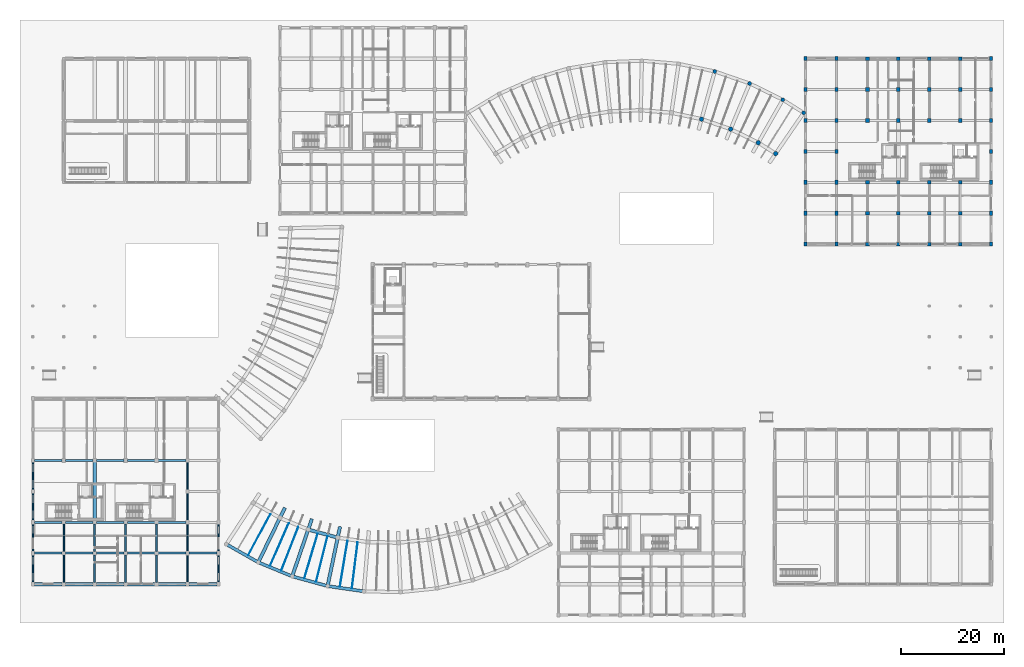
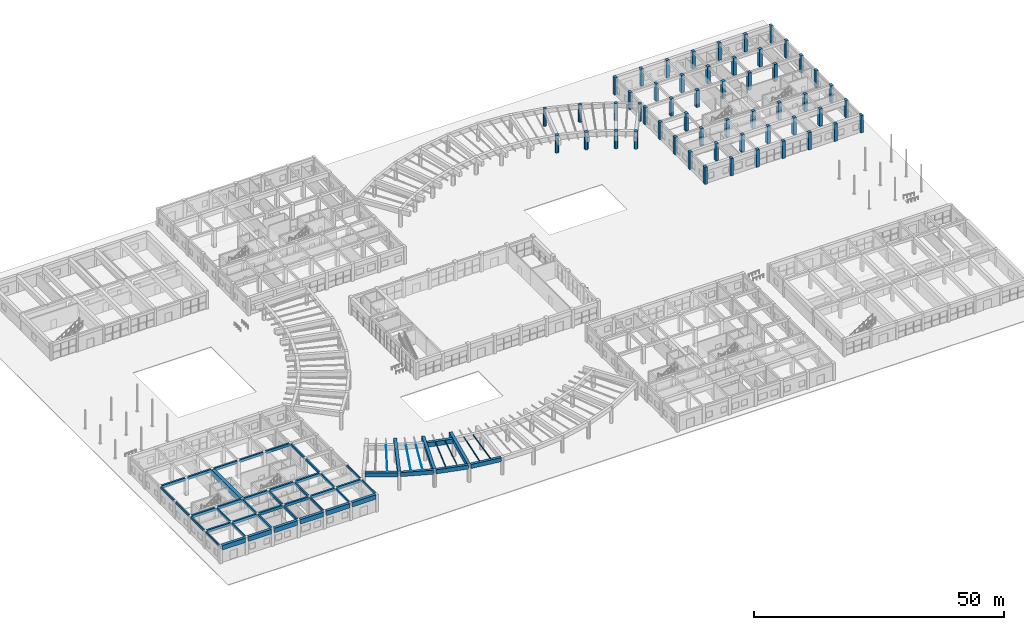
# One storey, part 10 of 76: 56 beams, 53 columns.
"""IFC4 building model written with IfcOpenShell, lengths in metres."""

from ifc_helpers import new_model, si_unit, direction, frame, origin, origin_2d, place, context, subcontext, project, spatial, rectangle, circle, i_section, extrude, material, material_profile, profile_set, type_object, element, save


model = new_model("IFC4")

# Units and contexts
model_context = context("Model", 3, precision=1e-05, world=origin(), true_north=direction((0.0, 1.0)))
body_context = subcontext(model_context, "Body", "Model", "MODEL_VIEW")
ifc_project = project(units=[si_unit("LENGTHUNIT", "METRE"), si_unit("AREAUNIT", "SQUARE_METRE"), si_unit("VOLUMEUNIT", "CUBIC_METRE"), si_unit("PLANEANGLEUNIT", "RADIAN"), si_unit("MASSUNIT", "GRAM", prefix="KILO"), si_unit("POWERUNIT", "WATT"), si_unit("THERMODYNAMICTEMPERATUREUNIT", "KELVIN")], contexts=[model_context])

# Site, building, storey
site_placement = place(None, origin())
site = spatial("IfcSite", under=ifc_project, at=site_placement, CompositionType="ELEMENT")
building_placement = place(site_placement, origin())
building = spatial("IfcBuilding", under=site, at=building_placement, Name="Ruvembo Vaulted Housing Court", CompositionType="ELEMENT")
storey_placement = place(building_placement, origin())
storey = spatial("IfcBuildingStorey", under=building, at=storey_placement, Name="L00", CompositionType="ELEMENT", Elevation=0.0)

# Columns
ifc_material_1 = material(Name="Concrete C40/50", Category="concrete")
ifc_material_profile_1 = material_profile(ifc_material_1, rectangle(XDim=0.60009765625, YDim=0.800048828125, at=origin_2d()), Name="RC 600x800")
ifc_profile_set_1 = profile_set([ifc_material_profile_1], Name="Concrete C40/50")
column_type_1 = type_object("IfcColumnType", Name="COL-RC-600x800", PredefinedType="COLUMN", material=ifc_profile_set_1)
for number, where, z_axis, x_axis, name in (
    (1, (150.0, 72.0, 0.0), (0.0, 0.0, 1.0), (1.0, 0.0, 0.0), "L00 Column (150,72)"),
    (2, (150.0, 78.0, 0.0), (0.0, 0.0, 1.0), (1.0, 0.0, 0.0), "L00 Column (150,78)"),
    (3, (150.0, 84.0, 0.0), (0.0, 0.0, 1.0), (1.0, 0.0, 0.0), "L00 Column (150,84)"),
    (4, (150.0, 90.0, 0.0), (0.0, 0.0, 1.0), (1.0, 0.0, 0.0), "L00 Column (150,90)"),
    (5, (150.0, 96.0, 0.0), (0.0, 0.0, 1.0), (1.0, 0.0, 0.0), "L00 Column (150,96)"),
    (6, (150.0, 102.0, 0.0), (0.0, 0.0, 1.0), (1.0, 0.0, 0.0), "L00 Column (150,102)"),
    (7, (150.0, 108.0, 0.0), (0.0, 0.0, 1.0), (1.0, 0.0, 0.0), "L00 Column (150,108)"),
    (8, (156.0, 72.0, 0.0), (0.0, 0.0, 1.0), (1.0, 0.0, 0.0), "L00 Column (156,72)"),
    (9, (156.0, 78.0, 0.0), (0.0, 0.0, 1.0), (1.0, 0.0, 0.0), "L00 Column (156,78)"),
    (10, (156.0, 84.0, 0.0), (0.0, 0.0, 1.0), (1.0, 0.0, 0.0), "L00 Column (156,84)"),
    (11, (156.0, 90.0, 0.0), (0.0, 0.0, 1.0), (1.0, 0.0, 0.0), "L00 Column (156,90)"),
    (12, (156.0, 96.0, 0.0), (0.0, 0.0, 1.0), (1.0, 0.0, 0.0), "L00 Column (156,96)"),
    (13, (156.0, 102.0, 0.0), (0.0, 0.0, 1.0), (1.0, 0.0, 0.0), "L00 Column (156,102)"),
    (14, (156.0, 108.0, 0.0), (0.0, 0.0, 1.0), (1.0, 0.0, 0.0), "L00 Column (156,108)"),
    (15, (186.0, 72.0, 0.0), (0.0, 0.0, 1.0), (1.0, 0.0, 0.0), "L00 Column (186,72)"),
    (16, (186.0, 78.0, 0.0), (0.0, 0.0, 1.0), (1.0, 0.0, 0.0), "L00 Column (186,78)"),
    (17, (186.0, 84.0, 0.0), (0.0, 0.0, 1.0), (1.0, 0.0, 0.0), "L00 Column (186,84)"),
    (18, (186.0, 90.0, 0.0), (0.0, 0.0, 1.0), (1.0, 0.0, 0.0), "L00 Column (186,90)"),
    (19, (186.0, 96.0, 0.0), (0.0, 0.0, 1.0), (1.0, 0.0, 0.0), "L00 Column (186,96)"),
    (20, (186.0, 102.0, 0.0), (0.0, 0.0, 1.0), (1.0, 0.0, 0.0), "L00 Column (186,102)"),
    (21, (186.0, 108.0, 0.0), (0.0, 0.0, 1.0), (1.0, 0.0, 0.0), "L00 Column (186,108)"),
):
    element("IfcColumn", number, at=place(storey_placement, frame(where, z_axis=z_axis, x_axis=x_axis)), inside=storey, type_object=column_type_1, Name=name, PredefinedType="COLUMN", context=body_context, shape_type="SweptSolid", body=[
        extrude(rectangle(XDim=0.60009765625, YDim=0.800048828125, at=origin_2d()), origin(), (0.0, 0.0, 1.0), 4.22998046875),
    ])
ifc_material_profile_2 = material_profile(ifc_material_1, rectangle(XDim=0.699951171875, YDim=0.699951171875, at=origin_2d()), Name="RC 700x700")
ifc_profile_set_2 = profile_set([ifc_material_profile_2], Name="Concrete C40/50")
column_type_2 = type_object("IfcColumnType", Name="COL-RC-700", PredefinedType="COLUMN", material=ifc_profile_set_2)
for number, where, z_axis, x_axis, name in (
    (22, (162.0, 72.0, 0.0), (0.0, 0.0, 1.0), (1.0, 0.0, 0.0), "L00 Column (162,72)"),
    (23, (162.0, 78.0, 0.0), (0.0, 0.0, 1.0), (1.0, 0.0, 0.0), "L00 Column (162,78)"),
    (24, (162.0, 84.0, 0.0), (0.0, 0.0, 1.0), (1.0, 0.0, 0.0), "L00 Column (162,84)"),
    (25, (162.0, 96.0, 0.0), (0.0, 0.0, 1.0), (1.0, 0.0, 0.0), "L00 Column (162,96)"),
    (26, (162.0, 102.0, 0.0), (0.0, 0.0, 1.0), (1.0, 0.0, 0.0), "L00 Column (162,102)"),
    (27, (162.0, 108.0, 0.0), (0.0, 0.0, 1.0), (1.0, 0.0, 0.0), "L00 Column (162,108)"),
    (28, (168.0, 72.0, 0.0), (0.0, 0.0, 1.0), (1.0, 0.0, 0.0), "L00 Column (168,72)"),
    (29, (168.0, 78.0, 0.0), (0.0, 0.0, 1.0), (1.0, 0.0, 0.0), "L00 Column (168,78)"),
    (30, (168.0, 84.0, 0.0), (0.0, 0.0, 1.0), (1.0, 0.0, 0.0), "L00 Column (168,84)"),
    (31, (168.0, 96.0, 0.0), (0.0, 0.0, 1.0), (1.0, 0.0, 0.0), "L00 Column (168,96)"),
    (32, (168.0, 102.0, 0.0), (0.0, 0.0, 1.0), (1.0, 0.0, 0.0), "L00 Column (168,102)"),
    (33, (168.0, 108.0, 0.0), (0.0, 0.0, 1.0), (1.0, 0.0, 0.0), "L00 Column (168,108)"),
    (34, (174.0, 72.0, 0.0), (0.0, 0.0, 1.0), (1.0, 0.0, 0.0), "L00 Column (174,72)"),
    (35, (174.0, 78.0, 0.0), (0.0, 0.0, 1.0), (1.0, 0.0, 0.0), "L00 Column (174,78)"),
    (36, (174.0, 84.0, 0.0), (0.0, 0.0, 1.0), (1.0, 0.0, 0.0), "L00 Column (174,84)"),
    (37, (174.0, 96.0, 0.0), (0.0, 0.0, 1.0), (1.0, 0.0, 0.0), "L00 Column (174,96)"),
    (38, (174.0, 102.0, 0.0), (0.0, 0.0, 1.0), (1.0, 0.0, 0.0), "L00 Column (174,102)"),
    (39, (174.0, 108.0, 0.0), (0.0, 0.0, 1.0), (1.0, 0.0, 0.0), "L00 Column (174,108)"),
    (40, (180.0, 72.0, 0.0), (0.0, 0.0, 1.0), (1.0, 0.0, 0.0), "L00 Column (180,72)"),
    (41, (180.0, 78.0, 0.0), (0.0, 0.0, 1.0), (1.0, 0.0, 0.0), "L00 Column (180,78)"),
    (42, (180.0, 84.0, 0.0), (0.0, 0.0, 1.0), (1.0, 0.0, 0.0), "L00 Column (180,84)"),
    (43, (180.0, 96.0, 0.0), (0.0, 0.0, 1.0), (1.0, 0.0, 0.0), "L00 Column (180,96)"),
    (44, (180.0, 102.0, 0.0), (0.0, 0.0, 1.0), (1.0, 0.0, 0.0), "L00 Column (180,102)"),
    (45, (180.0, 108.0, 0.0), (0.0, 0.0, 1.0), (1.0, 0.0, 0.0), "L00 Column (180,108)"),
):
    element("IfcColumn", number, at=place(storey_placement, frame(where, z_axis=z_axis, x_axis=x_axis)), inside=storey, type_object=column_type_2, Name=name, PredefinedType="COLUMN", context=body_context, shape_type="SweptSolid", body=[
        extrude(rectangle(XDim=0.699951171875, YDim=0.699951171875, at=origin_2d()), origin(), (0.0, 0.0, 1.0), 4.22998046875),
    ])
ifc_material_profile_3 = material_profile(ifc_material_1, circle(Radius=0.375, at=origin_2d()), Name="RC D750")
ifc_profile_set_3 = profile_set([ifc_material_profile_3], Name="Concrete C40/50")
column_type_3 = type_object("IfcColumnType", Name="PILOTIS-D750", PredefinedType="COLUMN", material=ifc_profile_set_3)
for number, where, z_axis, x_axis, name in (
    (46, (132.353759765625, 105.51611328125, 0.0), (0.0, 0.0, 1.0), (1.0, 0.0, 0.0), "L00 Scooped Pier CP-SC3-B08"),
    (47, (139.13037109375, 103.178955078125, 0.0), (0.0, 0.0, 1.0), (1.0, 0.0, 0.0), "L00 Scooped Pier CP-SC3-B09"),
    (48, (145.564453125, 100.018310546875, 0.0), (0.0, 0.0, 1.0), (1.0, 0.0, 0.0), "L00 Scooped Pier CP-SC3-B10"),
    (49, (149.61376953125, 97.477294921875, 0.0), (0.0, 0.0, 1.0), (1.0, 0.0, 0.0), "L00 Scooped Pier CP-SC3-B11"),
):
    element("IfcColumn", number, at=place(storey_placement, frame(where, z_axis=z_axis, x_axis=x_axis)), inside=storey, type_object=column_type_3, Name=name, PredefinedType="COLUMN", context=body_context, shape_type="SweptSolid", body=[
        extrude(circle(Radius=0.375, at=origin_2d()), origin(), (0.0, 0.0, 1.0), 4.248046875),
    ])
ifc_material_profile_4 = material_profile(ifc_material_1, circle(Radius=0.425048828125, at=origin_2d()), Name="RC D850")
ifc_profile_set_4 = profile_set([ifc_material_profile_4], Name="Concrete C40/50")
column_type_4 = type_object("IfcColumnType", Name="PILOTIS-D850", PredefinedType="COLUMN", material=ifc_profile_set_4)
for number, where, z_axis, x_axis, name in (
    (50, (129.794677734375, 96.26318359375, 0.0), (0.0, 0.0, 1.0), (1.0, 0.0, 0.0), "L00 Scooped Pier CP-SC3-F08"),
    (51, (135.44189453125, 94.31591796875, 0.0), (0.0, 0.0, 1.0), (1.0, 0.0, 0.0), "L00 Scooped Pier CP-SC3-F09"),
    (52, (140.8037109375, 91.681884765625, 0.0), (0.0, 0.0, 1.0), (1.0, 0.0, 0.0), "L00 Scooped Pier CP-SC3-F10"),
    (53, (144.17822265625, 89.564453125, 0.0), (0.0, 0.0, 1.0), (1.0, 0.0, 0.0), "L00 Scooped Pier CP-SC3-F11"),
):
    element("IfcColumn", number, at=place(storey_placement, frame(where, z_axis=z_axis, x_axis=x_axis)), inside=storey, type_object=column_type_4, Name=name, PredefinedType="COLUMN", context=body_context, shape_type="SweptSolid", body=[
        extrude(circle(Radius=0.425048828125, at=origin_2d()), origin(), (0.0, 0.0, 1.0), 4.248046875),
    ])

# Beams
ifc_material_2 = material(Name="Concrete C35/45", Category="concrete")
ifc_material_profile_5 = material_profile(ifc_material_2, rectangle(XDim=0.300048828125, YDim=0.60009765625, at=origin_2d()), Name="RC 300x600")
ifc_profile_set_5 = profile_set([ifc_material_profile_5], Name="Concrete C35/45")
beam_type_1 = type_object("IfcBeamType", Name="BM-RC-300x600", PredefinedType="BEAM", material=ifc_profile_set_5)
for number, where, z_axis, x_axis, name in (
    (54, (6.0, 6.3349609375, 3.929931640625), (0.0, 1.0, 0.0), (-1.0, 0.0, 0.0), "L00 Grid Beam Y #950"),
    (55, (6.0, 12.3349609375, 3.929931640625), (0.0, 1.0, 0.0), (-1.0, 0.0, 0.0), "L00 Grid Beam Y #951"),
    (56, (12.0, 6.3349609375, 3.929931640625), (0.0, 1.0, 0.0), (-1.0, 0.0, 0.0), "L00 Grid Beam Y #956"),
    (57, (12.0, 12.3349609375, 3.929931640625), (0.0, 1.0, 0.0), (-1.0, 0.0, 0.0), "L00 Grid Beam Y #957"),
    (58, (18.0, 6.3349609375, 3.929931640625), (0.0, 1.0, 0.0), (-1.0, 0.0, 0.0), "L00 Grid Beam Y #962"),
    (59, (18.0, 12.3349609375, 3.929931640625), (0.0, 1.0, 0.0), (-1.0, 0.0, 0.0), "L00 Grid Beam Y #963"),
    (60, (24.0, 6.3349609375, 3.929931640625), (0.0, 1.0, 0.0), (-1.0, 0.0, 0.0), "L00 Grid Beam Y #968"),
    (61, (24.0, 12.3349609375, 3.929931640625), (0.0, 1.0, 0.0), (-1.0, 0.0, 0.0), "L00 Grid Beam Y #969"),
):
    element("IfcBeam", number, at=place(storey_placement, frame(where, z_axis=z_axis, x_axis=x_axis)), inside=storey, type_object=beam_type_1, Name=name, PredefinedType="BEAM", context=body_context, shape_type="SweptSolid", body=[
        extrude(rectangle(XDim=0.300048828125, YDim=0.60009765625, at=origin_2d()), origin(), (0.0, 0.0, 1.0), 5.330078125),
    ])
ifc_material_profile_6 = material_profile(ifc_material_2, rectangle(XDim=0.39990234375, YDim=0.64990234375, at=origin_2d()), Name="RC 400x650")
ifc_profile_set_6 = profile_set([ifc_material_profile_6], Name="Concrete C35/45")
beam_type_2 = type_object("IfcBeamType", Name="BM-RC-400x650", PredefinedType="BEAM", material=ifc_profile_set_6)
beam_1_placement = place(storey_placement, frame((0.284912109375, 12.0, 3.905029296875), z_axis=(1.0, 0.0, 0.0), x_axis=(0.0, 1.0, 0.0)))
element("IfcBeam", 62, at=beam_1_placement, inside=storey, type_object=beam_type_2, Name="L00 Grid Beam X #759", PredefinedType="BEAM", context=body_context, shape_type="SweptSolid", body=[
    extrude(rectangle(XDim=0.39990234375, YDim=0.64990234375, at=origin_2d()), origin(), (0.0, 0.0, 1.0), 5.380126953125),
])
for number, where, z_axis, x_axis, name in (
    (63, (6.3349609375, 12.0, 3.905029296875), (1.0, 0.0, 0.0), (0.0, 1.0, 0.0), "L00 Grid Beam X #760"),
    (64, (12.3349609375, 12.0, 3.905029296875), (1.0, 0.0, 0.0), (0.0, 1.0, 0.0), "L00 Grid Beam X #761"),
    (65, (18.3349609375, 12.0, 3.905029296875), (1.0, 0.0, 0.0), (0.0, 1.0, 0.0), "L00 Grid Beam X #762"),
):
    element("IfcBeam", number, at=place(storey_placement, frame(where, z_axis=z_axis, x_axis=x_axis)), inside=storey, type_object=beam_type_2, Name=name, PredefinedType="BEAM", context=body_context, shape_type="SweptSolid", body=[
        extrude(rectangle(XDim=0.39990234375, YDim=0.64990234375, at=origin_2d()), origin(), (0.0, 0.0, 1.0), 5.330078125),
    ])
beam_2_placement = place(storey_placement, frame((24.3349609375, 12.0, 3.905029296875), z_axis=(1.0, 0.0, 0.0), x_axis=(0.0, 1.0, 0.0)))
element("IfcBeam", 66, at=beam_2_placement, inside=storey, type_object=beam_type_2, Name="L00 Grid Beam X #763", PredefinedType="BEAM", context=body_context, shape_type="SweptSolid", body=[
    extrude(rectangle(XDim=0.39990234375, YDim=0.64990234375, at=origin_2d()), origin(), (0.0, 0.0, 1.0), 5.380126953125),
])
beam_3_placement = place(storey_placement, frame((30.284912109375, 12.0, 3.905029296875), z_axis=(1.0, 0.0, 0.0), x_axis=(0.0, 1.0, 0.0)))
element("IfcBeam", 67, at=beam_3_placement, inside=storey, type_object=beam_type_2, Name="L00 Grid Beam X #764", PredefinedType="BEAM", context=body_context, shape_type="SweptSolid", body=[
    extrude(rectangle(XDim=0.39990234375, YDim=0.64990234375, at=origin_2d()), origin(), (0.0, 0.0, 1.0), 5.43017578125),
])
beam_4_placement = place(storey_placement, frame((0.284912109375, 18.0, 3.905029296875), z_axis=(1.0, 0.0, 0.0), x_axis=(0.0, 1.0, 0.0)))
element("IfcBeam", 68, at=beam_4_placement, inside=storey, type_object=beam_type_2, Name="L00 Grid Beam X #771", PredefinedType="BEAM", context=body_context, shape_type="SweptSolid", body=[
    extrude(rectangle(XDim=0.39990234375, YDim=0.64990234375, at=origin_2d()), origin(), (0.0, 0.0, 1.0), 5.380126953125),
])
for number, where, z_axis, x_axis, name in (
    (69, (6.3349609375, 18.0, 3.905029296875), (1.0, 0.0, 0.0), (0.0, 1.0, 0.0), "L00 Grid Beam X #772"),
    (70, (12.3349609375, 18.0, 3.905029296875), (1.0, 0.0, 0.0), (0.0, 1.0, 0.0), "L00 Grid Beam X #773"),
    (71, (18.3349609375, 18.0, 3.905029296875), (1.0, 0.0, 0.0), (0.0, 1.0, 0.0), "L00 Grid Beam X #774"),
):
    element("IfcBeam", number, at=place(storey_placement, frame(where, z_axis=z_axis, x_axis=x_axis)), inside=storey, type_object=beam_type_2, Name=name, PredefinedType="BEAM", context=body_context, shape_type="SweptSolid", body=[
        extrude(rectangle(XDim=0.39990234375, YDim=0.64990234375, at=origin_2d()), origin(), (0.0, 0.0, 1.0), 5.330078125),
    ])
for number, where, z_axis, x_axis, name in (
    (72, (24.3349609375, 18.0, 3.905029296875), (1.0, 0.0, 0.0), (0.0, 1.0, 0.0), "L00 Grid Beam X #775"),
    (73, (0.284912109375, 30.0, 3.905029296875), (1.0, 0.0, 0.0), (0.0, 1.0, 0.0), "L00 Grid Beam X #792"),
):
    element("IfcBeam", number, at=place(storey_placement, frame(where, z_axis=z_axis, x_axis=x_axis)), inside=storey, type_object=beam_type_2, Name=name, PredefinedType="BEAM", context=body_context, shape_type="SweptSolid", body=[
        extrude(rectangle(XDim=0.39990234375, YDim=0.64990234375, at=origin_2d()), origin(), (0.0, 0.0, 1.0), 5.380126953125),
    ])
for number, where, z_axis, x_axis, name in (
    (74, (6.3349609375, 30.0, 3.905029296875), (1.0, 0.0, 0.0), (0.0, 1.0, 0.0), "L00 Grid Beam X #793"),
    (75, (12.3349609375, 30.0, 3.905029296875), (1.0, 0.0, 0.0), (0.0, 1.0, 0.0), "L00 Grid Beam X #794"),
    (76, (18.3349609375, 30.0, 3.905029296875), (1.0, 0.0, 0.0), (0.0, 1.0, 0.0), "L00 Grid Beam X #795"),
):
    element("IfcBeam", number, at=place(storey_placement, frame(where, z_axis=z_axis, x_axis=x_axis)), inside=storey, type_object=beam_type_2, Name=name, PredefinedType="BEAM", context=body_context, shape_type="SweptSolid", body=[
        extrude(rectangle(XDim=0.39990234375, YDim=0.64990234375, at=origin_2d()), origin(), (0.0, 0.0, 1.0), 5.330078125),
    ])
beam_5_placement = place(storey_placement, frame((24.3349609375, 30.0, 3.905029296875), z_axis=(1.0, 0.0, 0.0), x_axis=(0.0, 1.0, 0.0)))
element("IfcBeam", 77, at=beam_5_placement, inside=storey, type_object=beam_type_2, Name="L00 Grid Beam X #796", PredefinedType="BEAM", context=body_context, shape_type="SweptSolid", body=[
    extrude(rectangle(XDim=0.39990234375, YDim=0.64990234375, at=origin_2d()), origin(), (0.0, 0.0, 1.0), 5.380126953125),
])
ifc_material_3 = material(Name="Steel S355J2", Category="steel")
ifc_material_profile_7 = material_profile(ifc_material_3, i_section(OverallWidth=0.08203125, OverallDepth=0.159912109375, WebThickness=0.0048828125, FlangeThickness=0.00732421875, FilletRadius=0.009033203125, at=origin_2d()), Name="IPE 160")
ifc_profile_set_7 = profile_set([ifc_material_profile_7], Name="Steel S355J2")
beam_type_3 = type_object("IfcBeamType", Name="BM-ST-IPE160", PredefinedType="JOIST", material=ifc_profile_set_7)
for number, where, z_axis, x_axis, name in (
    (78, (41.801513671875, 11.62109375, 4.159912109375), (0.475059554615, 0.879953646262, 0.0), (-0.879953646262, 0.475059554615, 0.0), "Scoop SC2 L00 Interior Radial Joist 2"),
    (79, (48.228515625, 8.64892578125, 4.159912109375), (0.362801492903, 0.931866447914, 0.0), (-0.931866447914, 0.362801492903, 0.0), "Scoop SC2 L00 Interior Radial Joist 5"),
):
    element("IfcBeam", number, at=place(storey_placement, frame(where, z_axis=z_axis, x_axis=x_axis)), inside=storey, type_object=beam_type_3, Name=name, PredefinedType="JOIST", context=body_context, shape_type="SweptSolid", body=[
        extrude(i_section(OverallWidth=0.08203125, OverallDepth=0.159912109375, WebThickness=0.0048828125, FlangeThickness=0.00732421875, FilletRadius=0.009033203125, at=origin_2d()), origin(), (0.0, 0.0, 1.0), 9.0537109375),
    ])
beam_6_placement = place(storey_placement, frame((54.973388671875, 6.492919921875, 4.159912109375), z_axis=(0.244990383198, 0.969525508762, 0.0), x_axis=(-0.969525508762, 0.244990383198, 0.0)))
element("IfcBeam", 80, at=beam_6_placement, inside=storey, type_object=beam_type_3, Name="Scoop SC2 L00 Interior Radial Joist 8", PredefinedType="JOIST", context=body_context, shape_type="SweptSolid", body=[
    extrude(i_section(OverallWidth=0.08203125, OverallDepth=0.159912109375, WebThickness=0.0048828125, FlangeThickness=0.00732421875, FilletRadius=0.009033203125, at=origin_2d()), origin(), (0.0, 0.0, 1.0), 9.053466796875),
])
beam_7_placement = place(storey_placement, frame((61.9326171875, 5.185791015625, 4.159912109375), z_axis=(0.123447283498, 0.992351131504, 0.0), x_axis=(-0.992351131504, 0.123447283498, 0.0)))
element("IfcBeam", 81, at=beam_7_placement, inside=storey, type_object=beam_type_3, Name="Scoop SC2 L00 Interior Radial Joist 11", PredefinedType="JOIST", context=body_context, shape_type="SweptSolid", body=[
    extrude(i_section(OverallWidth=0.08203125, OverallDepth=0.159912109375, WebThickness=0.0048828125, FlangeThickness=0.00732421875, FilletRadius=0.009033203125, at=origin_2d()), origin(), (0.0, 0.0, 1.0), 9.053955078125),
])
ifc_material_profile_8 = material_profile(ifc_material_3, i_section(OverallWidth=0.091064453125, OverallDepth=0.179931640625, WebThickness=0.00537109375, FlangeThickness=0.008056640625, FilletRadius=0.009033203125, at=origin_2d()), Name="IPE 180")
ifc_profile_set_8 = profile_set([ifc_material_profile_8], Name="Steel S355J2")
beam_type_4 = type_object("IfcBeamType", Name="BM-ST-IPE180", PredefinedType="JOIST", material=ifc_profile_set_8)
for number, where, z_axis, x_axis, name in (
    (82, (46.0458984375, 9.551025390625, 4.14990234375), (0.400927755402, 0.916109674083, 0.0), (-0.916109674083, 0.400927755402, 0.0), "Scoop SC2 L00 Interior Radial Joist 4"),
    (83, (52.696044921875, 7.11865234375, 4.14990234375), (0.284788793912, 0.958590289364, 0.0), (-0.958590289364, 0.284788793912, 0.0), "Scoop SC2 L00 Interior Radial Joist 7"),
    (84, (59.595458984375, 5.525634765625, 4.14990234375), (0.164276546066, 0.986414322895, 0.0), (-0.986414322895, 0.164276546066, 0.0), "Scoop SC2 L00 Interior Radial Joist 10"),
):
    element("IfcBeam", number, at=place(storey_placement, frame(where, z_axis=z_axis, x_axis=x_axis)), inside=storey, type_object=beam_type_4, Name=name, PredefinedType="JOIST", context=body_context, shape_type="SweptSolid", body=[
        extrude(i_section(OverallWidth=0.091064453125, OverallDepth=0.179931640625, WebThickness=0.00537109375, FlangeThickness=0.008056640625, FilletRadius=0.009033203125, at=origin_2d()), origin(), (0.0, 0.0, 1.0), 9.0537109375),
    ])
ifc_material_profile_9 = material_profile(ifc_material_2, rectangle(XDim=0.300048828125, YDim=0.5, at=origin_2d()), Name="RC 300x500")
ifc_profile_set_9 = profile_set([ifc_material_profile_9], Name="Concrete C35/45")
beam_type_5 = type_object("IfcBeamType", Name="SP-RC-300x500", PredefinedType="SPANDREL", material=ifc_profile_set_9)
for number, where, z_axis, x_axis, name in (
    (85, (0.0, 6.385009765625, 3.97998046875), (0.0, 1.0, 0.0), (-1.0, 0.0, 0.0), "L00 Grid Beam Y #944"),
    (86, (0.0, 12.385009765625, 3.97998046875), (0.0, 1.0, 0.0), (-1.0, 0.0, 0.0), "L00 Grid Beam Y #945"),
    (87, (0.0, 18.385009765625, 3.97998046875), (0.0, 1.0, 0.0), (-1.0, 0.0, 0.0), "L00 Grid Beam Y #946"),
    (88, (0.0, 24.385009765625, 3.97998046875), (0.0, 1.0, 0.0), (-1.0, 0.0, 0.0), "L00 Grid Beam Y #947"),
    (89, (30.0, 6.385009765625, 3.97998046875), (0.0, 1.0, 0.0), (-1.0, 0.0, 0.0), "L00 Grid Beam Y #974"),
    (90, (30.0, 12.385009765625, 3.97998046875), (0.0, 1.0, 0.0), (-1.0, 0.0, 0.0), "L00 Grid Beam Y #975"),
    (91, (30.0, 18.385009765625, 3.97998046875), (0.0, 1.0, 0.0), (-1.0, 0.0, 0.0), "L00 Grid Beam Y #976"),
    (92, (30.0, 24.385009765625, 3.97998046875), (0.0, 1.0, 0.0), (-1.0, 0.0, 0.0), "L00 Grid Beam Y #977"),
    (93, (36.0, 6.385009765625, 3.97998046875), (0.0, 1.0, 0.0), (-1.0, 0.0, 0.0), "L00 Grid Beam Y #982"),
    (94, (36.0, 12.385009765625, 3.97998046875), (0.0, 1.0, 0.0), (-1.0, 0.0, 0.0), "L00 Grid Beam Y #983"),
):
    element("IfcBeam", number, at=place(storey_placement, frame(where, z_axis=z_axis, x_axis=x_axis)), inside=storey, type_object=beam_type_5, Name=name, PredefinedType="SPANDREL", context=body_context, shape_type="SweptSolid", body=[
        extrude(rectangle(XDim=0.300048828125, YDim=0.5, at=origin_2d()), origin(), (0.0, 0.0, 1.0), 5.22998046875),
    ])
ifc_material_profile_10 = material_profile(ifc_material_1, rectangle(XDim=0.60009765625, YDim=1.0, at=origin_2d()), Name="RC 600x1000")
ifc_profile_set_10 = profile_set([ifc_material_profile_10], Name="Concrete C40/50")
beam_type_6 = type_object("IfcBeamType", Name="TB-RC-600x1000", PredefinedType="BEAM", material=ifc_profile_set_10)
beam_8_placement = place(storey_placement, frame((37.760986328125, 13.6240234375, 3.748046875), z_axis=(0.869972269261, -0.493100649682, 0.0), x_axis=(0.493100649682, 0.869972269261, 0.0)))
element("IfcBeam", 95, at=beam_8_placement, inside=storey, type_object=beam_type_6, Name="Scoop SC2 Pilotis Transfer Girder B0", PredefinedType="BEAM", context=body_context, shape_type="SweptSolid", body=[
    extrude(rectangle(XDim=0.60009765625, YDim=1.0, at=origin_2d()), origin(), (0.0, 0.0, 1.0), 6.64404296875),
])
for number, where, z_axis, x_axis, name in (
    (96, (43.9716796875, 10.1376953125, 3.748046875), (0.924184175325, -0.381947129953, 0.0), (0.381947129953, 0.924184175325, 0.0), "Scoop SC2 Pilotis Transfer Girder B3"),
    (97, (50.565185546875, 7.44482421875, 3.748046875), (0.964264321341, -0.264942104221, 0.0), (0.264942104221, 0.964264321341, 0.0), "Scoop SC2 Pilotis Transfer Girder B6"),
    (98, (57.440673828125, 5.58642578125, 3.748046875), (0.989592148599, -0.143900588708, 0.0), (0.143900588708, 0.989592148599, 0.0), "Scoop SC2 Pilotis Transfer Girder B9"),
):
    element("IfcBeam", number, at=place(storey_placement, frame(where, z_axis=z_axis, x_axis=x_axis)), inside=storey, type_object=beam_type_6, Name=name, PredefinedType="BEAM", context=body_context, shape_type="SweptSolid", body=[
        extrude(rectangle(XDim=0.60009765625, YDim=1.0, at=origin_2d()), origin(), (0.0, 0.0, 1.0), 6.643798828125),
    ])
ifc_material_profile_11 = material_profile(ifc_material_1, rectangle(XDim=0.64990234375, YDim=1.10009765625, at=origin_2d()), Name="RC 650x1100")
ifc_profile_set_11 = profile_set([ifc_material_profile_11], Name="Concrete C40/50")
beam_type_7 = type_object("IfcBeamType", Name="TB-RC-650x1100", PredefinedType="BEAM", material=ifc_profile_set_11)
beam_9_placement = place(storey_placement, frame((0.284912109375, 6.0, 3.679931640625), z_axis=(1.0, 0.0, 0.0), x_axis=(0.0, 1.0, 0.0)))
element("IfcBeam", 99, at=beam_9_placement, inside=storey, type_object=beam_type_7, Name="L00 Grid Beam X #740", PredefinedType="BEAM", context=body_context, shape_type="SweptSolid", body=[
    extrude(rectangle(XDim=0.64990234375, YDim=1.10009765625, at=origin_2d()), origin(), (0.0, 0.0, 1.0), 5.380126953125),
])
for number, where, z_axis, x_axis, name in (
    (100, (6.3349609375, 6.0, 3.679931640625), (1.0, 0.0, 0.0), (0.0, 1.0, 0.0), "L00 Grid Beam X #741"),
    (101, (12.3349609375, 6.0, 3.679931640625), (1.0, 0.0, 0.0), (0.0, 1.0, 0.0), "L00 Grid Beam X #742"),
    (102, (18.3349609375, 6.0, 3.679931640625), (1.0, 0.0, 0.0), (0.0, 1.0, 0.0), "L00 Grid Beam X #743"),
):
    element("IfcBeam", number, at=place(storey_placement, frame(where, z_axis=z_axis, x_axis=x_axis)), inside=storey, type_object=beam_type_7, Name=name, PredefinedType="BEAM", context=body_context, shape_type="SweptSolid", body=[
        extrude(rectangle(XDim=0.64990234375, YDim=1.10009765625, at=origin_2d()), origin(), (0.0, 0.0, 1.0), 5.330078125),
    ])
beam_10_placement = place(storey_placement, frame((24.3349609375, 6.0, 3.679931640625), z_axis=(1.0, 0.0, 0.0), x_axis=(0.0, 1.0, 0.0)))
element("IfcBeam", 103, at=beam_10_placement, inside=storey, type_object=beam_type_7, Name="L00 Grid Beam X #744", PredefinedType="BEAM", context=body_context, shape_type="SweptSolid", body=[
    extrude(rectangle(XDim=0.64990234375, YDim=1.10009765625, at=origin_2d()), origin(), (0.0, 0.0, 1.0), 5.380126953125),
])
beam_11_placement = place(storey_placement, frame((30.284912109375, 6.0, 3.679931640625), z_axis=(1.0, 0.0, 0.0), x_axis=(0.0, 1.0, 0.0)))
element("IfcBeam", 104, at=beam_11_placement, inside=storey, type_object=beam_type_7, Name="L00 Grid Beam X #745", PredefinedType="BEAM", context=body_context, shape_type="SweptSolid", body=[
    extrude(rectangle(XDim=0.64990234375, YDim=1.10009765625, at=origin_2d()), origin(), (0.0, 0.0, 1.0), 5.43017578125),
])
beam_12_placement = place(storey_placement, frame((53.71484375, 16.51611328125, 3.697998046875), z_axis=(0.964273854471, -0.264907405678, 0.0), x_axis=(0.264907405678, 0.964273854471, 0.0)))
element("IfcBeam", 105, at=beam_12_placement, inside=storey, type_object=beam_type_7, Name="Scoop SC2 Pilotis Transfer Girder F6", PredefinedType="BEAM", context=body_context, shape_type="SweptSolid", body=[
    extrude(rectangle(XDim=0.64990234375, YDim=1.10009765625, at=origin_2d()), origin(), (0.0, 0.0, 1.0), 5.376708984375),
])
beam_13_placement = place(storey_placement, frame((43.85498046875, 10.4453125, 3.697998046875), z_axis=(0.438380773127, 0.898789351157, 0.0), x_axis=(-0.898789351157, 0.438380773127, 0.0)))
element("IfcBeam", 106, at=beam_13_placement, inside=storey, type_object=beam_type_7, Name="Scoop SC2 Radial Pilotis Transfer Girder 3", PredefinedType="BEAM", context=body_context, shape_type="SweptSolid", body=[
    extrude(rectangle(XDim=0.64990234375, YDim=1.10009765625, at=origin_2d()), origin(), (0.0, 0.0, 1.0), 11.559814453125),
])
for number, where, z_axis, x_axis, name in (
    (107, (50.41162109375, 7.7353515625, 3.697998046875), (0.324054342142, 0.946038468213, 0.0), (-0.946038468213, 0.324054342142, 0.0), "Scoop SC2 Radial Pilotis Transfer Girder 6"),
    (108, (57.252197265625, 5.85595703125, 3.697998046875), (0.204816100264, 0.978800472554, 0.0), (-0.978800472554, 0.204816100264, 0.0), "Scoop SC2 Radial Pilotis Transfer Girder 9"),
):
    element("IfcBeam", number, at=place(storey_placement, frame(where, z_axis=z_axis, x_axis=x_axis)), inside=storey, type_object=beam_type_7, Name=name, PredefinedType="BEAM", context=body_context, shape_type="SweptSolid", body=[
        extrude(rectangle(XDim=0.64990234375, YDim=1.10009765625, at=origin_2d()), origin(), (0.0, 0.0, 1.0), 11.56005859375),
    ])
ifc_material_profile_12 = material_profile(ifc_material_1, rectangle(XDim=0.75, YDim=1.300048828125, at=origin_2d()), Name="RC 750x1300")
ifc_profile_set_12 = profile_set([ifc_material_profile_12], Name="Concrete C40/50")
beam_type_8 = type_object("IfcBeamType", Name="TB-RC-750x1300", PredefinedType="BEAM", material=ifc_profile_set_12)
beam_14_placement = place(storey_placement, frame((12.0, 18.3349609375, 3.580078125), z_axis=(0.0, 1.0, 0.0), x_axis=(-1.0, 0.0, 0.0)))
element("IfcBeam", 109, at=beam_14_placement, inside=storey, type_object=beam_type_8, Name="L00 Grid Beam Y #958", PredefinedType="BEAM", context=body_context, shape_type="SweptSolid", body=[
    extrude(rectangle(XDim=0.75, YDim=1.300048828125, at=origin_2d()), origin(), (0.0, 0.0, 1.0), 11.330078125),
])

save(model, "model.ifc")
